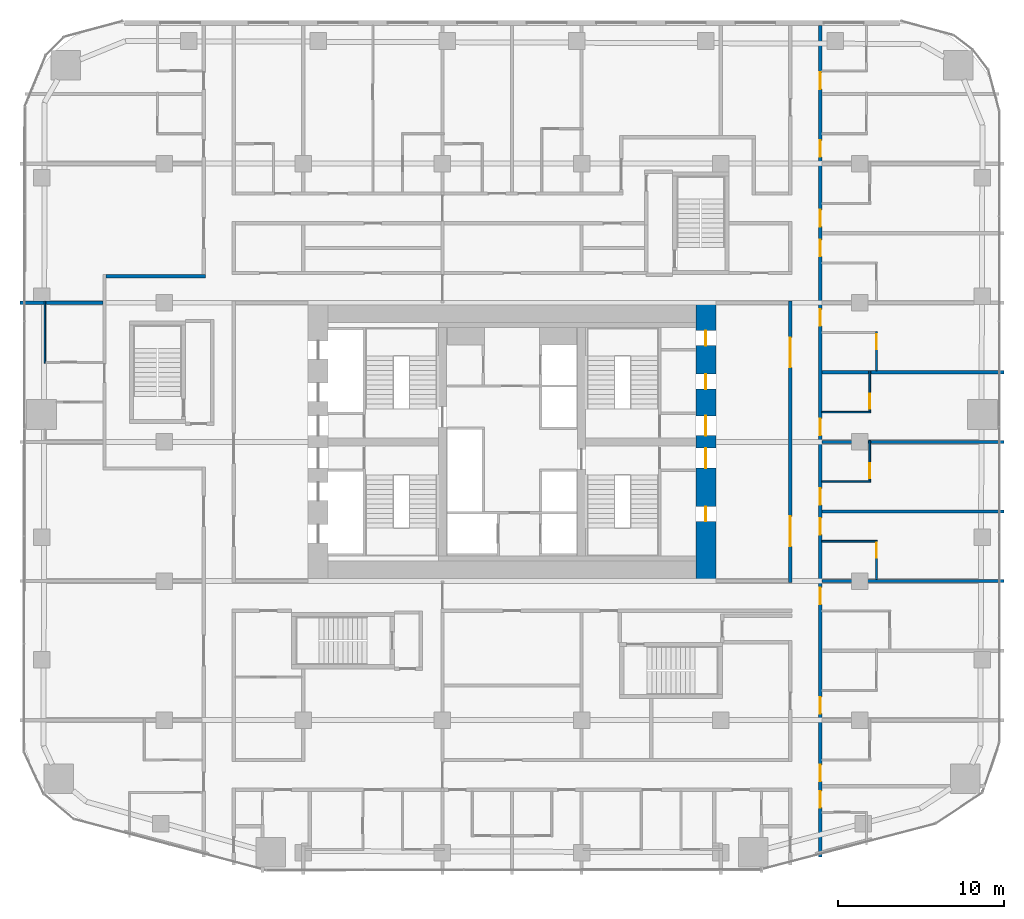
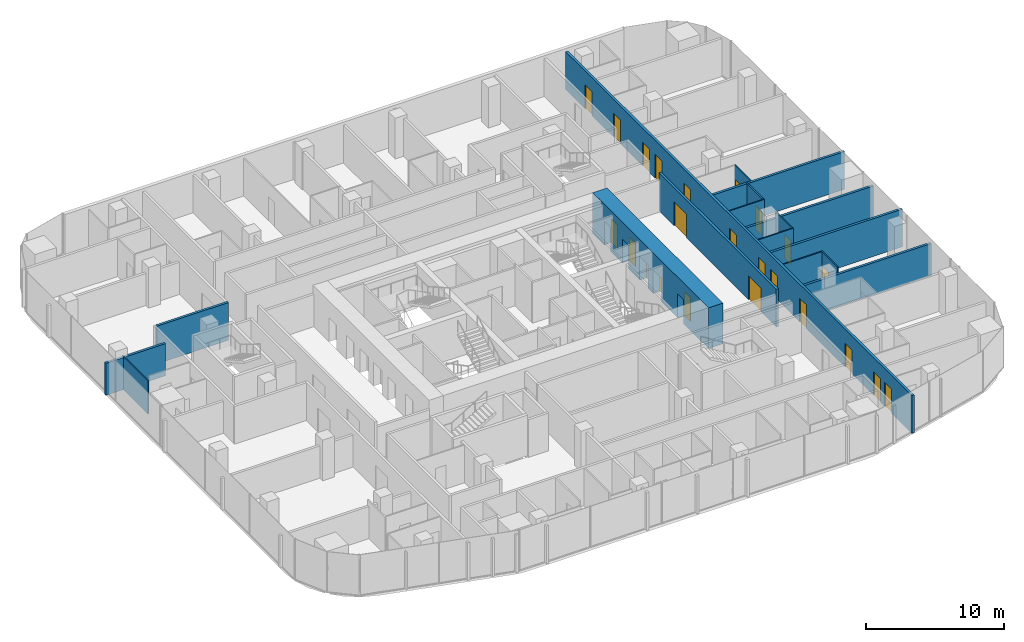
# One storey, part 20 of 26: 23 doors, 17 walls, 23 openings.
"""IFC4 building model written with IfcOpenShell, lengths in metres."""

from ifc_helpers import new_model, si_unit, direction, frame, frame_2d, origin, place, context, subcontext, project, spatial, rectangle, extrude, material, layer, layer_set, type_object, element, fill, save


model = new_model("IFC4")

# Units and contexts
model_context = context("Model", 3, precision=1e-05, world=origin(), true_north=direction((0.0, 1.0)))
body_context = subcontext(model_context, "Body", "Model", "MODEL_VIEW")
ifc_project = project(units=[si_unit("LENGTHUNIT", "METRE"), si_unit("AREAUNIT", "SQUARE_METRE"), si_unit("VOLUMEUNIT", "CUBIC_METRE"), si_unit("PLANEANGLEUNIT", "RADIAN"), si_unit("MASSUNIT", "GRAM", prefix="KILO")], contexts=[model_context])

# Site, building, storey
site_placement = place(None, origin())
site = spatial("IfcSite", under=ifc_project, at=site_placement, CompositionType="ELEMENT")
building_placement = place(site_placement, origin())
building = spatial("IfcBuilding", under=site, at=building_placement, Name="Marenta Gate Hotel Tower", CompositionType="ELEMENT")
storey_placement = place(building_placement, frame((0.0, 0.0, 79.699951171875)))
storey = spatial("IfcBuildingStorey", under=building, at=storey_placement, Name="L18", CompositionType="ELEMENT", Elevation=79.699951171875)

# Wall, openings, doors
ifc_material_1 = material(Name="Concrete blockwork", Category="masonry")
ifc_layer_1 = layer(ifc_material_1, 0.199951171875)
ifc_layer_set_1 = layer_set([ifc_layer_1], Name="Concrete blockwork")
wall_type_1 = type_object("IfcWallType", Name="Core boundary wall 200 REI 180", PredefinedType="PARTITIONING", material=ifc_layer_set_1)
wall_1_placement = place(storey_placement, frame((16.800048828125, -0.10009765625, 0.0), z_axis=(0.0, 0.0, 1.0), x_axis=(0.0, 1.0, 0.0)))
wall_1 = element("IfcWall", 1, at=wall_1_placement, inside=storey, type_object=wall_type_1, Name="L18-CP-BW-E", PredefinedType="PARTITIONING", context=body_context, shape_type="SweptSolid", body=[
    extrude(rectangle(XDim=17.0, YDim=0.199951171875, at=frame_2d((8.5, 0.0))), origin(), (0.0, 0.0, 1.0), 3.340087890625),
])
opening_1_placement = place(wall_1_placement, frame((2.199951171875, 0.0, 0.0)))
opening_1 = element("IfcOpeningElement", 2, at=opening_1_placement, cuts=wall_1, Name="Opening ED-Ea-B", PredefinedType="OPENING", context=body_context, shape_type="SweptSolid", body=[
    extrude(rectangle(XDim=1.800048828125, YDim=2.10009765625, at=frame_2d((0.89990234375, 1.050048828125))), frame((0.0, 0.10009765625, 0.0), z_axis=(0.0, -1.0, 0.0), x_axis=(1.0, 0.0, 0.0)), (0.0, 0.0, 1.0), 0.199951171875),
])
opening_2_placement = place(wall_1_placement, frame((13.0, 0.0, 0.0)))
opening_2 = element("IfcOpeningElement", 3, at=opening_2_placement, cuts=wall_1, Name="Opening ED-Eb-B", PredefinedType="OPENING", context=body_context, shape_type="SweptSolid", body=[
    extrude(rectangle(XDim=1.800048828125, YDim=2.10009765625, at=frame_2d((0.89990234375, 1.050048828125))), frame((0.0, 0.10009765625, 0.0), z_axis=(0.0, -1.0, 0.0), x_axis=(1.0, 0.0, 0.0)), (0.0, 0.0, 1.0), 0.199951171875),
])
ifc_material_2 = material(Name="Steel", Category="steel")
door_type_1 = type_object("IfcDoorType", Name="Core lobby entrance door 1800x2100 EI 60", OperationType="DOUBLE_DOOR_SINGLE_SWING", PredefinedType="DOOR", material=ifc_material_2)
door_1_placement = place(opening_1_placement, origin())
door_1 = element("IfcDoor", 4, at=door_1_placement, inside=storey, type_object=door_type_1, Name="ED-Ea-B", OperationType="DOUBLE_DOOR_SINGLE_SWING", OverallHeight=2.10009765625, OverallWidth=1.800048828125, PredefinedType="DOOR", context=body_context, shape_type="SweptSolid", body=[
    extrude(rectangle(XDim=1.800048828125, YDim=2.10009765625, at=frame_2d((0.89990234375, 1.050048828125))), frame((0.0, 0.02490234375, 0.0), z_axis=(0.0, -1.0, 0.0), x_axis=(1.0, 0.0, 0.0)), (0.0, 0.0, 1.0), 0.050048828125),
])
fill(opening_1, door_1)
door_2_placement = place(opening_2_placement, origin())
door_2 = element("IfcDoor", 5, at=door_2_placement, inside=storey, type_object=door_type_1, Name="ED-Eb-B", OperationType="DOUBLE_DOOR_SINGLE_SWING", OverallHeight=2.10009765625, OverallWidth=1.800048828125, PredefinedType="DOOR", context=body_context, shape_type="SweptSolid", body=[
    extrude(rectangle(XDim=1.800048828125, YDim=2.10009765625, at=frame_2d((0.89990234375, 1.050048828125))), frame((0.0, 0.02490234375, 0.0), z_axis=(0.0, -1.0, 0.0), x_axis=(1.0, 0.0, 0.0)), (0.0, 0.0, 1.0), 0.050048828125),
])
fill(opening_2, door_2)

ifc_material_3 = material(Name="Concrete C80", Category="concrete")
ifc_layer_2 = layer(ifc_material_3, 1.199951171875)
ifc_layer_set_2 = layer_set([ifc_layer_2], Name="Concrete C80")
wall_type_2 = type_object("IfcWallType", Name="Core wall 1200 C80", PredefinedType="SHEAR", material=ifc_layer_set_2)
wall_2_placement = place(storey_placement, frame((11.699951171875, 0.0, 0.0), z_axis=(0.0, 0.0, 1.0), x_axis=(0.0, 1.0, 0.0)))
wall_2 = element("IfcWall", 6, at=wall_2_placement, inside=storey, type_object=wall_type_2, Name="L18-CORE-E", PredefinedType="SHEAR", context=body_context, shape_type="SweptSolid", body=[
    extrude(rectangle(XDim=16.800048828125, YDim=1.199951171875, at=frame_2d((8.39990234375, 0.0))), origin(), (0.0, 0.0, 1.0), 3.60009765625),
])
opening_3_placement = place(wall_2_placement, frame((3.60009765625, 0.0, 0.0)))
opening_3 = element("IfcOpeningElement", 7, at=opening_3_placement, cuts=wall_2, Name="Opening RD-ES-1", PredefinedType="OPENING", context=body_context, shape_type="SweptSolid", body=[
    extrude(rectangle(XDim=0.89990234375, YDim=2.10009765625, at=frame_2d((0.449951171875, 1.050048828125))), frame((0.0, 0.60009765625, 0.0), z_axis=(0.0, -1.0, 0.0), x_axis=(1.0, 0.0, 0.0)), (0.0, 0.0, 1.0), 1.199951171875),
])
opening_4_placement = place(wall_2_placement, frame((6.824951171875, 0.0, 0.0)))
opening_4 = element("IfcOpeningElement", 8, at=opening_4_placement, cuts=wall_2, Name="Opening PD-ES", PredefinedType="OPENING", context=body_context, shape_type="SweptSolid", body=[
    extrude(rectangle(XDim=1.199951171875, YDim=2.10009765625, at=frame_2d((0.60009765625, 1.050048828125))), frame((0.0, 0.60009765625, 0.0), z_axis=(0.0, -1.0, 0.0), x_axis=(1.0, 0.0, 0.0)), (0.0, 0.0, 1.0), 1.199951171875),
])
opening_5_placement = place(wall_2_placement, frame((14.21240234375, 0.0, 0.0)))
opening_5 = element("IfcOpeningElement", 9, at=opening_5_placement, cuts=wall_2, Name="Opening RD-EN-1", PredefinedType="OPENING", context=body_context, shape_type="SweptSolid", body=[
    extrude(rectangle(XDim=0.89990234375, YDim=2.10009765625, at=frame_2d((0.449951171875, 1.050048828125))), frame((0.0, 0.60009765625, 0.0), z_axis=(0.0, -1.0, 0.0), x_axis=(1.0, 0.0, 0.0)), (0.0, 0.0, 1.0), 1.199951171875),
])
opening_6_placement = place(wall_2_placement, frame((11.58740234375, 0.0, 0.0)))
opening_6 = element("IfcOpeningElement", 10, at=opening_6_placement, cuts=wall_2, Name="Opening RD-EN-2", PredefinedType="OPENING", context=body_context, shape_type="SweptSolid", body=[
    extrude(rectangle(XDim=0.89990234375, YDim=2.10009765625, at=frame_2d((0.449951171875, 1.050048828125))), frame((0.0, 0.60009765625, 0.0), z_axis=(0.0, -1.0, 0.0), x_axis=(1.0, 0.0, 0.0)), (0.0, 0.0, 1.0), 1.199951171875),
])
opening_7_placement = place(wall_2_placement, frame((8.77490234375, 0.0, 0.0)))
opening_7 = element("IfcOpeningElement", 11, at=opening_7_placement, cuts=wall_2, Name="Opening PD-EN", PredefinedType="OPENING", context=body_context, shape_type="SweptSolid", body=[
    extrude(rectangle(XDim=1.199951171875, YDim=2.10009765625, at=frame_2d((0.60009765625, 1.050048828125))), frame((0.0, 0.60009765625, 0.0), z_axis=(0.0, -1.0, 0.0), x_axis=(1.0, 0.0, 0.0)), (0.0, 0.0, 1.0), 1.199951171875),
])
ifc_material_4 = material(Name="Steel", Category="steel")
door_type_2 = type_object("IfcDoorType", Name="Core lobby door 1200x2100 FD60", OperationType="SINGLE_SWING_LEFT", PredefinedType="DOOR", material=ifc_material_4)
door_3_placement = place(opening_4_placement, origin())
door_3 = element("IfcDoor", 12, at=door_3_placement, inside=storey, type_object=door_type_2, Name="PD-ES", OperationType="SINGLE_SWING_LEFT", OverallHeight=2.10009765625, OverallWidth=1.199951171875, PredefinedType="DOOR", context=body_context, shape_type="SweptSolid", body=[
    extrude(rectangle(XDim=1.199951171875, YDim=2.10009765625, at=frame_2d((0.60009765625, 1.050048828125))), frame((0.0, 0.02490234375, 0.0), z_axis=(0.0, -1.0, 0.0), x_axis=(1.0, 0.0, 0.0)), (0.0, 0.0, 1.0), 0.050048828125),
])
fill(opening_4, door_3)
door_4_placement = place(opening_7_placement, origin())
door_4 = element("IfcDoor", 13, at=door_4_placement, inside=storey, type_object=door_type_2, Name="PD-EN", OperationType="SINGLE_SWING_LEFT", OverallHeight=2.10009765625, OverallWidth=1.199951171875, PredefinedType="DOOR", context=body_context, shape_type="SweptSolid", body=[
    extrude(rectangle(XDim=1.199951171875, YDim=2.10009765625, at=frame_2d((0.60009765625, 1.050048828125))), frame((0.0, 0.02490234375, 0.0), z_axis=(0.0, -1.0, 0.0), x_axis=(1.0, 0.0, 0.0)), (0.0, 0.0, 1.0), 0.050048828125),
])
fill(opening_7, door_4)
ifc_material_5 = material(Name="Steel", Category="steel")
door_type_3 = type_object("IfcDoorType", Name="Core service room door 900x2100 FD30S", OperationType="SINGLE_SWING_LEFT", PredefinedType="DOOR", material=ifc_material_5)
door_5_placement = place(opening_3_placement, origin())
door_5 = element("IfcDoor", 14, at=door_5_placement, inside=storey, type_object=door_type_3, Name="RD-ES-1", OperationType="SINGLE_SWING_LEFT", OverallHeight=2.10009765625, OverallWidth=0.89990234375, PredefinedType="DOOR", context=body_context, shape_type="SweptSolid", body=[
    extrude(rectangle(XDim=0.89990234375, YDim=2.10009765625, at=frame_2d((0.449951171875, 1.050048828125))), frame((0.0, 0.02490234375, 0.0), z_axis=(0.0, -1.0, 0.0), x_axis=(1.0, 0.0, 0.0)), (0.0, 0.0, 1.0), 0.050048828125),
])
fill(opening_3, door_5)
door_6_placement = place(opening_5_placement, origin())
door_6 = element("IfcDoor", 15, at=door_6_placement, inside=storey, type_object=door_type_3, Name="RD-EN-1", OperationType="SINGLE_SWING_LEFT", OverallHeight=2.10009765625, OverallWidth=0.89990234375, PredefinedType="DOOR", context=body_context, shape_type="SweptSolid", body=[
    extrude(rectangle(XDim=0.89990234375, YDim=2.10009765625, at=frame_2d((0.449951171875, 1.050048828125))), frame((0.0, 0.02490234375, 0.0), z_axis=(0.0, -1.0, 0.0), x_axis=(1.0, 0.0, 0.0)), (0.0, 0.0, 1.0), 0.050048828125),
])
fill(opening_5, door_6)
door_7_placement = place(opening_6_placement, origin())
door_7 = element("IfcDoor", 16, at=door_7_placement, inside=storey, type_object=door_type_3, Name="RD-EN-2", OperationType="SINGLE_SWING_LEFT", OverallHeight=2.10009765625, OverallWidth=0.89990234375, PredefinedType="DOOR", context=body_context, shape_type="SweptSolid", body=[
    extrude(rectangle(XDim=0.89990234375, YDim=2.10009765625, at=frame_2d((0.449951171875, 1.050048828125))), frame((0.0, 0.02490234375, 0.0), z_axis=(0.0, -1.0, 0.0), x_axis=(1.0, 0.0, 0.0)), (0.0, 0.0, 1.0), 0.050048828125),
])
fill(opening_6, door_7)

ifc_material_6 = material(Name="Gypsum board on steel stud", Category="steel")
ifc_layer_3 = layer(ifc_material_6, 0.199951171875)
ifc_layer_set_3 = layer_set([ifc_layer_3], Name="Gypsum board on steel stud")
wall_type_3 = type_object("IfcWallType", Name="Room corridor wall 200 EI 60", PredefinedType="PARTITIONING", material=ifc_layer_set_3)
wall_3_placement = place(storey_placement, frame((18.60009765625, -16.6650390625, 0.0), z_axis=(0.0, 0.0, 1.0), x_axis=(0.0, 1.0, 0.0)))
wall_3 = element("IfcWall", 17, at=wall_3_placement, inside=storey, type_object=wall_type_3, Name="L18-PTN-W015", PredefinedType="PARTITIONING", context=body_context, shape_type="SweptSolid", body=[
    extrude(rectangle(XDim=50.205078125, YDim=0.199951171875, at=frame_2d((25.1025390625, 0.0))), origin(), (0.0, 0.0, 1.0), 3.340087890625),
])
opening_8_placement = place(wall_3_placement, frame((2.990966796875, 0.0, 0.0)))
opening_8 = element("IfcOpeningElement", 18, at=opening_8_placement, cuts=wall_3, Name="Opening G07-07", PredefinedType="OPENING", context=body_context, shape_type="SweptSolid", body=[
    extrude(rectangle(XDim=1.0, YDim=2.10009765625, at=frame_2d((0.5, 1.050048828125))), frame((0.0, 0.10009765625, 0.0), z_axis=(0.0, -1.0, 0.0), x_axis=(1.0, 0.0, 0.0)), (0.0, 0.0, 1.0), 0.199951171875),
])
opening_9_placement = place(wall_3_placement, frame((4.573974609375, 0.0, 0.0)))
opening_9 = element("IfcOpeningElement", 19, at=opening_9_placement, cuts=wall_3, Name="Opening G07-09", PredefinedType="OPENING", context=body_context, shape_type="SweptSolid", body=[
    extrude(rectangle(XDim=1.0, YDim=2.10009765625, at=frame_2d((0.5, 1.050048828125))), frame((0.0, 0.10009765625, 0.0), z_axis=(0.0, -1.0, 0.0), x_axis=(1.0, 0.0, 0.0)), (0.0, 0.0, 1.0), 0.199951171875),
])
opening_10_placement = place(wall_3_placement, frame((8.6650390625, 0.0, 0.0)))
opening_10 = element("IfcOpeningElement", 20, at=opening_10_placement, cuts=wall_3, Name="Opening G07-11", PredefinedType="OPENING", context=body_context, shape_type="SweptSolid", body=[
    extrude(rectangle(XDim=1.0, YDim=2.10009765625, at=frame_2d((0.5, 1.050048828125))), frame((0.0, 0.10009765625, 0.0), z_axis=(0.0, -1.0, 0.0), x_axis=(1.0, 0.0, 0.0)), (0.0, 0.0, 1.0), 0.199951171875),
])
opening_11_placement = place(wall_3_placement, frame((15.264892578125, 0.0, 0.0)))
opening_11 = element("IfcOpeningElement", 21, at=opening_11_placement, cuts=wall_3, Name="Opening G07-13", PredefinedType="OPENING", context=body_context, shape_type="SweptSolid", body=[
    extrude(rectangle(XDim=1.0, YDim=2.10009765625, at=frame_2d((0.5, 1.050048828125))), frame((0.0, 0.10009765625, 0.0), z_axis=(0.0, -1.0, 0.0), x_axis=(1.0, 0.0, 0.0)), (0.0, 0.0, 1.0), 0.199951171875),
])
opening_12_placement = place(wall_3_placement, frame((19.465087890625, 0.0, 0.0)))
opening_12 = element("IfcOpeningElement", 22, at=opening_12_placement, cuts=wall_3, Name="Opening G07-15", PredefinedType="OPENING", context=body_context, shape_type="SweptSolid", body=[
    extrude(rectangle(XDim=1.0, YDim=2.10009765625, at=frame_2d((0.5, 1.050048828125))), frame((0.0, 0.10009765625, 0.0), z_axis=(0.0, -1.0, 0.0), x_axis=(1.0, 0.0, 0.0)), (0.0, 0.0, 1.0), 0.199951171875),
])
opening_13_placement = place(wall_3_placement, frame((21.264892578125, 0.0, 0.0)))
opening_13 = element("IfcOpeningElement", 23, at=opening_13_placement, cuts=wall_3, Name="Opening G07-17", PredefinedType="OPENING", context=body_context, shape_type="SweptSolid", body=[
    extrude(rectangle(XDim=1.0, YDim=2.10009765625, at=frame_2d((0.5, 1.050048828125))), frame((0.0, 0.10009765625, 0.0), z_axis=(0.0, -1.0, 0.0), x_axis=(1.0, 0.0, 0.0)), (0.0, 0.0, 1.0), 0.199951171875),
])
opening_14_placement = place(wall_3_placement, frame((25.465087890625, 0.0, 0.0)))
opening_14 = element("IfcOpeningElement", 24, at=opening_14_placement, cuts=wall_3, Name="Opening G07-19", PredefinedType="OPENING", context=body_context, shape_type="SweptSolid", body=[
    extrude(rectangle(XDim=1.0, YDim=2.10009765625, at=frame_2d((0.5, 1.050048828125))), frame((0.0, 0.10009765625, 0.0), z_axis=(0.0, -1.0, 0.0), x_axis=(1.0, 0.0, 0.0)), (0.0, 0.0, 1.0), 0.199951171875),
])
opening_15_placement = place(wall_3_placement, frame((32.06494140625, 0.0, 0.0)))
opening_15 = element("IfcOpeningElement", 25, at=opening_15_placement, cuts=wall_3, Name="Opening G07-21", PredefinedType="OPENING", context=body_context, shape_type="SweptSolid", body=[
    extrude(rectangle(XDim=1.0, YDim=2.10009765625, at=frame_2d((0.5, 1.050048828125))), frame((0.0, 0.10009765625, 0.0), z_axis=(0.0, -1.0, 0.0), x_axis=(1.0, 0.0, 0.0)), (0.0, 0.0, 1.0), 0.199951171875),
])
opening_16_placement = place(wall_3_placement, frame((36.264892578125, 0.0, 0.0)))
opening_16 = element("IfcOpeningElement", 26, at=opening_16_placement, cuts=wall_3, Name="Opening G07-23", PredefinedType="OPENING", context=body_context, shape_type="SweptSolid", body=[
    extrude(rectangle(XDim=1.0, YDim=2.10009765625, at=frame_2d((0.5, 1.050048828125))), frame((0.0, 0.10009765625, 0.0), z_axis=(0.0, -1.0, 0.0), x_axis=(1.0, 0.0, 0.0)), (0.0, 0.0, 1.0), 0.199951171875),
])
opening_17_placement = place(wall_3_placement, frame((38.06494140625, 0.0, 0.0)))
opening_17 = element("IfcOpeningElement", 27, at=opening_17_placement, cuts=wall_3, Name="Opening G07-25", PredefinedType="OPENING", context=body_context, shape_type="SweptSolid", body=[
    extrude(rectangle(XDim=1.0, YDim=2.10009765625, at=frame_2d((0.5, 1.050048828125))), frame((0.0, 0.10009765625, 0.0), z_axis=(0.0, -1.0, 0.0), x_axis=(1.0, 0.0, 0.0)), (0.0, 0.0, 1.0), 0.199951171875),
])
opening_18_placement = place(wall_3_placement, frame((42.264892578125, 0.0, 0.0)))
opening_18 = element("IfcOpeningElement", 28, at=opening_18_placement, cuts=wall_3, Name="Opening G07-27", PredefinedType="OPENING", context=body_context, shape_type="SweptSolid", body=[
    extrude(rectangle(XDim=1.0, YDim=2.10009765625, at=frame_2d((0.5, 1.050048828125))), frame((0.0, 0.10009765625, 0.0), z_axis=(0.0, -1.0, 0.0), x_axis=(1.0, 0.0, 0.0)), (0.0, 0.0, 1.0), 0.199951171875),
])
opening_19_placement = place(wall_3_placement, frame((46.364990234375, 0.0, 0.0)))
opening_19 = element("IfcOpeningElement", 29, at=opening_19_placement, cuts=wall_3, Name="Opening G07-29", PredefinedType="OPENING", context=body_context, shape_type="SweptSolid", body=[
    extrude(rectangle(XDim=1.0, YDim=2.10009765625, at=frame_2d((0.5, 1.050048828125))), frame((0.0, 0.10009765625, 0.0), z_axis=(0.0, -1.0, 0.0), x_axis=(1.0, 0.0, 0.0)), (0.0, 0.0, 1.0), 0.199951171875),
])
ifc_material_7 = material(Name="Timber door leaf", Category="wood")
door_type_4 = type_object("IfcDoorType", Name="Guest room door 1000x2100 EI 30", OperationType="NOTDEFINED", PredefinedType="DOOR", material=ifc_material_7)
door_8_placement = place(opening_8_placement, origin())
door_8 = element("IfcDoor", 30, at=door_8_placement, inside=storey, type_object=door_type_4, Name="L18-PD-D007", OperationType="SINGLE_SWING_LEFT", OverallHeight=2.10009765625, OverallWidth=1.0, PredefinedType="DOOR", context=body_context, shape_type="SweptSolid", body=[
    extrude(rectangle(XDim=1.0, YDim=2.10009765625, at=frame_2d((0.5, 1.050048828125))), frame((0.0, 0.02490234375, 0.0), z_axis=(0.0, -1.0, 0.0), x_axis=(1.0, 0.0, 0.0)), (0.0, 0.0, 1.0), 0.050048828125),
])
fill(opening_8, door_8)
door_9_placement = place(opening_9_placement, origin())
door_9 = element("IfcDoor", 31, at=door_9_placement, inside=storey, type_object=door_type_4, Name="L18-PD-D009", OperationType="SINGLE_SWING_LEFT", OverallHeight=2.10009765625, OverallWidth=1.0, PredefinedType="DOOR", context=body_context, shape_type="SweptSolid", body=[
    extrude(rectangle(XDim=1.0, YDim=2.10009765625, at=frame_2d((0.5, 1.050048828125))), frame((0.0, 0.02490234375, 0.0), z_axis=(0.0, -1.0, 0.0), x_axis=(1.0, 0.0, 0.0)), (0.0, 0.0, 1.0), 0.050048828125),
])
fill(opening_9, door_9)
door_10_placement = place(opening_10_placement, origin())
door_10 = element("IfcDoor", 32, at=door_10_placement, inside=storey, type_object=door_type_4, Name="L18-PD-D011", OperationType="SINGLE_SWING_LEFT", OverallHeight=2.10009765625, OverallWidth=1.0, PredefinedType="DOOR", context=body_context, shape_type="SweptSolid", body=[
    extrude(rectangle(XDim=1.0, YDim=2.10009765625, at=frame_2d((0.5, 1.050048828125))), frame((0.0, 0.02490234375, 0.0), z_axis=(0.0, -1.0, 0.0), x_axis=(1.0, 0.0, 0.0)), (0.0, 0.0, 1.0), 0.050048828125),
])
fill(opening_10, door_10)
door_11_placement = place(opening_11_placement, origin())
door_11 = element("IfcDoor", 33, at=door_11_placement, inside=storey, type_object=door_type_4, Name="L18-PD-D013", OperationType="SINGLE_SWING_LEFT", OverallHeight=2.10009765625, OverallWidth=1.0, PredefinedType="DOOR", context=body_context, shape_type="SweptSolid", body=[
    extrude(rectangle(XDim=1.0, YDim=2.10009765625, at=frame_2d((0.5, 1.050048828125))), frame((0.0, 0.02490234375, 0.0), z_axis=(0.0, -1.0, 0.0), x_axis=(1.0, 0.0, 0.0)), (0.0, 0.0, 1.0), 0.050048828125),
])
fill(opening_11, door_11)
door_12_placement = place(opening_12_placement, origin())
door_12 = element("IfcDoor", 34, at=door_12_placement, inside=storey, type_object=door_type_4, Name="L18-PD-D015", OperationType="SINGLE_SWING_LEFT", OverallHeight=2.10009765625, OverallWidth=1.0, PredefinedType="DOOR", context=body_context, shape_type="SweptSolid", body=[
    extrude(rectangle(XDim=1.0, YDim=2.10009765625, at=frame_2d((0.5, 1.050048828125))), frame((0.0, 0.02490234375, 0.0), z_axis=(0.0, -1.0, 0.0), x_axis=(1.0, 0.0, 0.0)), (0.0, 0.0, 1.0), 0.050048828125),
])
fill(opening_12, door_12)
door_13_placement = place(opening_13_placement, origin())
door_13 = element("IfcDoor", 35, at=door_13_placement, inside=storey, type_object=door_type_4, Name="L18-PD-D017", OperationType="SINGLE_SWING_LEFT", OverallHeight=2.10009765625, OverallWidth=1.0, PredefinedType="DOOR", context=body_context, shape_type="SweptSolid", body=[
    extrude(rectangle(XDim=1.0, YDim=2.10009765625, at=frame_2d((0.5, 1.050048828125))), frame((0.0, 0.02490234375, 0.0), z_axis=(0.0, -1.0, 0.0), x_axis=(1.0, 0.0, 0.0)), (0.0, 0.0, 1.0), 0.050048828125),
])
fill(opening_13, door_13)
door_14_placement = place(opening_14_placement, origin())
door_14 = element("IfcDoor", 36, at=door_14_placement, inside=storey, type_object=door_type_4, Name="L18-PD-D019", OperationType="SINGLE_SWING_LEFT", OverallHeight=2.10009765625, OverallWidth=1.0, PredefinedType="DOOR", context=body_context, shape_type="SweptSolid", body=[
    extrude(rectangle(XDim=1.0, YDim=2.10009765625, at=frame_2d((0.5, 1.050048828125))), frame((0.0, 0.02490234375, 0.0), z_axis=(0.0, -1.0, 0.0), x_axis=(1.0, 0.0, 0.0)), (0.0, 0.0, 1.0), 0.050048828125),
])
fill(opening_14, door_14)
door_15_placement = place(opening_15_placement, origin())
door_15 = element("IfcDoor", 37, at=door_15_placement, inside=storey, type_object=door_type_4, Name="L18-PD-D021", OperationType="SINGLE_SWING_LEFT", OverallHeight=2.10009765625, OverallWidth=1.0, PredefinedType="DOOR", context=body_context, shape_type="SweptSolid", body=[
    extrude(rectangle(XDim=1.0, YDim=2.10009765625, at=frame_2d((0.5, 1.050048828125))), frame((0.0, 0.02490234375, 0.0), z_axis=(0.0, -1.0, 0.0), x_axis=(1.0, 0.0, 0.0)), (0.0, 0.0, 1.0), 0.050048828125),
])
fill(opening_15, door_15)
door_16_placement = place(opening_16_placement, origin())
door_16 = element("IfcDoor", 38, at=door_16_placement, inside=storey, type_object=door_type_4, Name="L18-PD-D023", OperationType="SINGLE_SWING_LEFT", OverallHeight=2.10009765625, OverallWidth=1.0, PredefinedType="DOOR", context=body_context, shape_type="SweptSolid", body=[
    extrude(rectangle(XDim=1.0, YDim=2.10009765625, at=frame_2d((0.5, 1.050048828125))), frame((0.0, 0.02490234375, 0.0), z_axis=(0.0, -1.0, 0.0), x_axis=(1.0, 0.0, 0.0)), (0.0, 0.0, 1.0), 0.050048828125),
])
fill(opening_16, door_16)
door_17_placement = place(opening_17_placement, origin())
door_17 = element("IfcDoor", 39, at=door_17_placement, inside=storey, type_object=door_type_4, Name="L18-PD-D025", OperationType="SINGLE_SWING_LEFT", OverallHeight=2.10009765625, OverallWidth=1.0, PredefinedType="DOOR", context=body_context, shape_type="SweptSolid", body=[
    extrude(rectangle(XDim=1.0, YDim=2.10009765625, at=frame_2d((0.5, 1.050048828125))), frame((0.0, 0.02490234375, 0.0), z_axis=(0.0, -1.0, 0.0), x_axis=(1.0, 0.0, 0.0)), (0.0, 0.0, 1.0), 0.050048828125),
])
fill(opening_17, door_17)
door_18_placement = place(opening_18_placement, origin())
door_18 = element("IfcDoor", 40, at=door_18_placement, inside=storey, type_object=door_type_4, Name="L18-PD-D027", OperationType="SINGLE_SWING_LEFT", OverallHeight=2.10009765625, OverallWidth=1.0, PredefinedType="DOOR", context=body_context, shape_type="SweptSolid", body=[
    extrude(rectangle(XDim=1.0, YDim=2.10009765625, at=frame_2d((0.5, 1.050048828125))), frame((0.0, 0.02490234375, 0.0), z_axis=(0.0, -1.0, 0.0), x_axis=(1.0, 0.0, 0.0)), (0.0, 0.0, 1.0), 0.050048828125),
])
fill(opening_18, door_18)
door_19_placement = place(opening_19_placement, origin())
door_19 = element("IfcDoor", 41, at=door_19_placement, inside=storey, type_object=door_type_4, Name="L18-PD-D029", OperationType="SINGLE_SWING_LEFT", OverallHeight=2.10009765625, OverallWidth=1.0, PredefinedType="DOOR", context=body_context, shape_type="SweptSolid", body=[
    extrude(rectangle(XDim=1.0, YDim=2.10009765625, at=frame_2d((0.5, 1.050048828125))), frame((0.0, 0.02490234375, 0.0), z_axis=(0.0, -1.0, 0.0), x_axis=(1.0, 0.0, 0.0)), (0.0, 0.0, 1.0), 0.050048828125),
])
fill(opening_19, door_19)

# Wall
wall_4_placement = place(storey_placement, frame((-24.5, 18.39990234375, 0.0), z_axis=(0.0, 0.0, 1.0), x_axis=(1.0, 0.0, 0.0)))
element("IfcWall", 42, at=wall_4_placement, inside=storey, type_object=wall_type_3, Name="L18-PTN-W114", PredefinedType="PARTITIONING", context=body_context, shape_type="SweptSolid", body=[
    extrude(rectangle(XDim=6.0, YDim=0.199951171875, at=frame_2d((3.0, 0.0))), origin(), (0.0, 0.0, 1.0), 3.340087890625),
])

# Wall, opening, door
ifc_material_8 = material(Name="Gypsum board on steel stud", Category="steel")
ifc_layer_4 = layer(ifc_material_8, 0.10009765625)
ifc_layer_set_4 = layer_set([ifc_layer_4], Name="Gypsum board on steel stud")
wall_type_4 = type_object("IfcWallType", Name="Room partition 100", PredefinedType="PARTITIONING", material=ifc_layer_set_4)
wall_5_placement = place(storey_placement, frame((22.0, 0.10009765625, 0.0), z_axis=(0.0, 0.0, 1.0), x_axis=(0.0, 1.0, 0.0)))
wall_5 = element("IfcWall", 43, at=wall_5_placement, inside=storey, type_object=wall_type_4, Name="L18-PTN-W003", PredefinedType="PARTITIONING", context=body_context, shape_type="SweptSolid", body=[
    extrude(rectangle(XDim=2.349853515625, YDim=0.10009765625, at=frame_2d((1.1748046875, 0.0))), origin(), (0.0, 0.0, 1.0), 3.340087890625),
])
opening_20_placement = place(wall_5_placement, frame((1.300048828125, 0.0, 0.0)))
opening_20 = element("IfcOpeningElement", 44, at=opening_20_placement, cuts=wall_5, Name="Opening G07-16", PredefinedType="OPENING", context=body_context, shape_type="SweptSolid", body=[
    extrude(rectangle(XDim=0.89990234375, YDim=2.10009765625, at=frame_2d((0.449951171875, 1.050048828125))), frame((0.0, 0.050048828125, 0.0), z_axis=(0.0, -1.0, 0.0), x_axis=(1.0, 0.0, 0.0)), (0.0, 0.0, 1.0), 0.10009765625),
])
ifc_material_9 = material(Name="Timber door leaf", Category="wood")
door_type_5 = type_object("IfcDoorType", Name="Guest bathroom door 900x2100", OperationType="NOTDEFINED", PredefinedType="DOOR", material=ifc_material_9)
door_20_placement = place(opening_20_placement, origin())
door_20 = element("IfcDoor", 45, at=door_20_placement, inside=storey, type_object=door_type_5, Name="L18-PD-D016", OperationType="SINGLE_SWING_RIGHT", OverallHeight=2.10009765625, OverallWidth=0.89990234375, PredefinedType="DOOR", context=body_context, shape_type="SweptSolid", body=[
    extrude(rectangle(XDim=0.89990234375, YDim=2.10009765625, at=frame_2d((0.449951171875, 1.050048828125))), frame((0.0, 0.02490234375, 0.0), z_axis=(0.0, -1.0, 0.0), x_axis=(1.0, 0.0, 0.0)), (0.0, 0.0, 1.0), 0.050048828125),
])
fill(opening_20, door_20)

wall_6_placement = place(storey_placement, frame((22.0, 12.699951171875, 0.0), z_axis=(0.0, 0.0, 1.0), x_axis=(0.0, 1.0, 0.0)))
wall_6 = element("IfcWall", 46, at=wall_6_placement, inside=storey, type_object=wall_type_4, Name="L18-PTN-W004", PredefinedType="PARTITIONING", context=body_context, shape_type="SweptSolid", body=[
    extrude(rectangle(XDim=2.35009765625, YDim=0.10009765625, at=frame_2d((1.175048828125, 0.0))), origin(), (0.0, 0.0, 1.0), 3.340087890625),
])
opening_21_placement = place(wall_6_placement, frame((1.300048828125, 0.0, 0.0)))
opening_21 = element("IfcOpeningElement", 47, at=opening_21_placement, cuts=wall_6, Name="Opening G07-22", PredefinedType="OPENING", context=body_context, shape_type="SweptSolid", body=[
    extrude(rectangle(XDim=0.89990234375, YDim=2.10009765625, at=frame_2d((0.449951171875, 1.050048828125))), frame((0.0, 0.050048828125, 0.0), z_axis=(0.0, -1.0, 0.0), x_axis=(1.0, 0.0, 0.0)), (0.0, 0.0, 1.0), 0.10009765625),
])
door_21_placement = place(opening_21_placement, origin())
door_21 = element("IfcDoor", 48, at=door_21_placement, inside=storey, type_object=door_type_5, Name="L18-PD-D022", OperationType="SINGLE_SWING_RIGHT", OverallHeight=2.10009765625, OverallWidth=0.89990234375, PredefinedType="DOOR", context=body_context, shape_type="SweptSolid", body=[
    extrude(rectangle(XDim=0.89990234375, YDim=2.10009765625, at=frame_2d((0.449951171875, 1.050048828125))), frame((0.0, 0.02490234375, 0.0), z_axis=(0.0, -1.0, 0.0), x_axis=(1.0, 0.0, 0.0)), (0.0, 0.0, 1.0), 0.050048828125),
])
fill(opening_21, door_21)

wall_7_placement = place(storey_placement, frame((21.60009765625, 6.050048828125, 0.0), z_axis=(0.0, 0.0, 1.0), x_axis=(0.0, 1.0, 0.0)))
wall_7 = element("IfcWall", 49, at=wall_7_placement, inside=storey, type_object=wall_type_4, Name="L18-PTN-W007", PredefinedType="PARTITIONING", context=body_context, shape_type="SweptSolid", body=[
    extrude(rectangle(XDim=2.449951171875, YDim=0.10009765625, at=frame_2d((1.22509765625, 0.0))), origin(), (0.0, 0.0, 1.0), 3.340087890625),
])
opening_22_placement = place(wall_7_placement, frame((0.14990234375, 0.0, 0.0)))
opening_22 = element("IfcOpeningElement", 50, at=opening_22_placement, cuts=wall_7, Name="Opening G07-18", PredefinedType="OPENING", context=body_context, shape_type="SweptSolid", body=[
    extrude(rectangle(XDim=0.89990234375, YDim=2.10009765625, at=frame_2d((0.449951171875, 1.050048828125))), frame((0.0, 0.050048828125, 0.0), z_axis=(0.0, -1.0, 0.0), x_axis=(1.0, 0.0, 0.0)), (0.0, 0.0, 1.0), 0.10009765625),
])
door_22_placement = place(opening_22_placement, origin())
door_22 = element("IfcDoor", 51, at=door_22_placement, inside=storey, type_object=door_type_5, Name="L18-PD-D018", OperationType="SINGLE_SWING_LEFT", OverallHeight=2.10009765625, OverallWidth=0.89990234375, PredefinedType="DOOR", context=body_context, shape_type="SweptSolid", body=[
    extrude(rectangle(XDim=0.89990234375, YDim=2.10009765625, at=frame_2d((0.449951171875, 1.050048828125))), frame((0.0, 0.02490234375, 0.0), z_axis=(0.0, -1.0, 0.0), x_axis=(1.0, 0.0, 0.0)), (0.0, 0.0, 1.0), 0.050048828125),
])
fill(opening_22, door_22)

wall_8_placement = place(storey_placement, frame((21.60009765625, 10.25, 0.0), z_axis=(0.0, 0.0, 1.0), x_axis=(0.0, 1.0, 0.0)))
wall_8 = element("IfcWall", 52, at=wall_8_placement, inside=storey, type_object=wall_type_4, Name="L18-PTN-W008", PredefinedType="PARTITIONING", context=body_context, shape_type="SweptSolid", body=[
    extrude(rectangle(XDim=2.449951171875, YDim=0.10009765625, at=frame_2d((1.22509765625, 0.0))), origin(), (0.0, 0.0, 1.0), 3.340087890625),
])
opening_23_placement = place(wall_8_placement, frame((0.14990234375, 0.0, 0.0)))
opening_23 = element("IfcOpeningElement", 53, at=opening_23_placement, cuts=wall_8, Name="Opening G07-20", PredefinedType="OPENING", context=body_context, shape_type="SweptSolid", body=[
    extrude(rectangle(XDim=0.89990234375, YDim=2.10009765625, at=frame_2d((0.449951171875, 1.050048828125))), frame((0.0, 0.050048828125, 0.0), z_axis=(0.0, -1.0, 0.0), x_axis=(1.0, 0.0, 0.0)), (0.0, 0.0, 1.0), 0.10009765625),
])
door_23_placement = place(opening_23_placement, origin())
door_23 = element("IfcDoor", 54, at=door_23_placement, inside=storey, type_object=door_type_5, Name="L18-PD-D020", OperationType="SINGLE_SWING_LEFT", OverallHeight=2.10009765625, OverallWidth=0.89990234375, PredefinedType="DOOR", context=body_context, shape_type="SweptSolid", body=[
    extrude(rectangle(XDim=0.89990234375, YDim=2.10009765625, at=frame_2d((0.449951171875, 1.050048828125))), frame((0.0, 0.02490234375, 0.0), z_axis=(0.0, -1.0, 0.0), x_axis=(1.0, 0.0, 0.0)), (0.0, 0.0, 1.0), 0.050048828125),
])
fill(opening_23, door_23)

# Walls
wall_9_placement = place(storey_placement, frame((18.699951171875, 2.39990234375, 0.0), z_axis=(0.0, 0.0, 1.0), x_axis=(1.0, 0.0, 0.0)))
element("IfcWall", 55, at=wall_9_placement, inside=storey, type_object=wall_type_4, Name="L18-PTN-W077", PredefinedType="PARTITIONING", context=body_context, shape_type="SweptSolid", body=[
    extrude(rectangle(XDim=3.25, YDim=0.10009765625, at=frame_2d((1.625, 0.0))), origin(), (0.0, 0.0, 1.0), 3.340087890625),
])
for number, where, z_axis, x_axis, name in (
    (56, (18.699951171875, 6.0, 0.0), (0.0, 0.0, 1.0), (1.0, 0.0, 0.0), "L18-PTN-W084"),
    (57, (18.699951171875, 10.199951171875, 0.0), (0.0, 0.0, 1.0), (1.0, 0.0, 0.0), "L18-PTN-W093"),
):
    element("IfcWall", number, at=place(storey_placement, frame(where, z_axis=z_axis, x_axis=x_axis)), inside=storey, type_object=wall_type_4, Name=name, PredefinedType="PARTITIONING", context=body_context, shape_type="SweptSolid", body=[
        extrude(rectangle(XDim=2.949951171875, YDim=0.10009765625, at=frame_2d((1.47509765625, 0.0))), origin(), (0.0, 0.0, 1.0), 3.340087890625),
    ])
wall_10_placement = place(storey_placement, frame((-28.199951171875, 13.14990234375, 0.0), z_axis=(0.0, 0.0, 1.0), x_axis=(0.0, 1.0, 0.0)))
element("IfcWall", 58, at=wall_10_placement, inside=storey, type_object=wall_type_4, Name="L18-PTN-W145", PredefinedType="PARTITIONING", context=body_context, shape_type="SweptSolid", body=[
    extrude(rectangle(XDim=3.75, YDim=0.10009765625, at=frame_2d((1.875, 0.0))), origin(), (0.0, 0.0, 1.0), 2.93994140625),
])
ifc_material_10 = material(Name="Gypsum board on steel stud", Category="steel")
ifc_layer_5 = layer(ifc_material_10, 0.199951171875)
ifc_layer_set_5 = layer_set([ifc_layer_5], Name="Gypsum board on steel stud")
wall_type_5 = type_object("IfcWallType", Name="Room party wall 200 EI 60", PredefinedType="PARTITIONING", material=ifc_layer_set_5)
wall_11_placement = place(storey_placement, frame((18.699951171875, 0.0, 0.0), z_axis=(0.0, 0.0, 1.0), x_axis=(1.0, 0.0, 0.0)))
element("IfcWall", 59, at=wall_11_placement, inside=storey, type_object=wall_type_5, Name="L18-PTN-W074", PredefinedType="PARTITIONING", context=body_context, shape_type="SweptSolid", body=[
    extrude(rectangle(XDim=11.0, YDim=0.199951171875, at=frame_2d((5.5, 0.0))), origin(), (0.0, 0.0, 1.0), 2.840087890625),
])
wall_12_placement = place(storey_placement, frame((18.699951171875, 4.199951171875, 0.0), z_axis=(0.0, 0.0, 1.0), x_axis=(1.0, 0.0, 0.0)))
element("IfcWall", 60, at=wall_12_placement, inside=storey, type_object=wall_type_5, Name="L18-PTN-W082", PredefinedType="PARTITIONING", context=body_context, shape_type="SweptSolid", body=[
    extrude(rectangle(XDim=11.0, YDim=0.199951171875, at=frame_2d((5.5, 0.0))), origin(), (0.0, 0.0, 1.0), 3.340087890625),
])
wall_13_placement = place(storey_placement, frame((18.699951171875, 8.39990234375, 0.0), z_axis=(0.0, 0.0, 1.0), x_axis=(1.0, 0.0, 0.0)))
element("IfcWall", 61, at=wall_13_placement, inside=storey, type_object=wall_type_5, Name="L18-PTN-W090", PredefinedType="PARTITIONING", context=body_context, shape_type="SweptSolid", body=[
    extrude(rectangle(XDim=11.0, YDim=0.199951171875, at=frame_2d((5.5, 0.0))), origin(), (0.0, 0.0, 1.0), 2.840087890625),
])
wall_14_placement = place(storey_placement, frame((18.699951171875, 12.60009765625, 0.0), z_axis=(0.0, 0.0, 1.0), x_axis=(1.0, 0.0, 0.0)))
element("IfcWall", 62, at=wall_14_placement, inside=storey, type_object=wall_type_5, Name="L18-PTN-W100", PredefinedType="PARTITIONING", context=body_context, shape_type="SweptSolid", body=[
    extrude(rectangle(XDim=11.0, YDim=0.199951171875, at=frame_2d((5.5, 0.0))), origin(), (0.0, 0.0, 1.0), 3.340087890625),
])
wall_15_placement = place(storey_placement, frame((-29.699951171875, 16.800048828125, 0.0), z_axis=(0.0, 0.0, 1.0), x_axis=(1.0, 0.0, 0.0)))
element("IfcWall", 63, at=wall_15_placement, inside=storey, type_object=wall_type_5, Name="L18-PTN-W111", PredefinedType="PARTITIONING", context=body_context, shape_type="SweptSolid", body=[
    extrude(rectangle(XDim=5.0, YDim=0.199951171875, at=frame_2d((2.5, 0.0))), origin(), (0.0, 0.0, 1.0), 2.840087890625),
])

save(model, "model.ifc")
